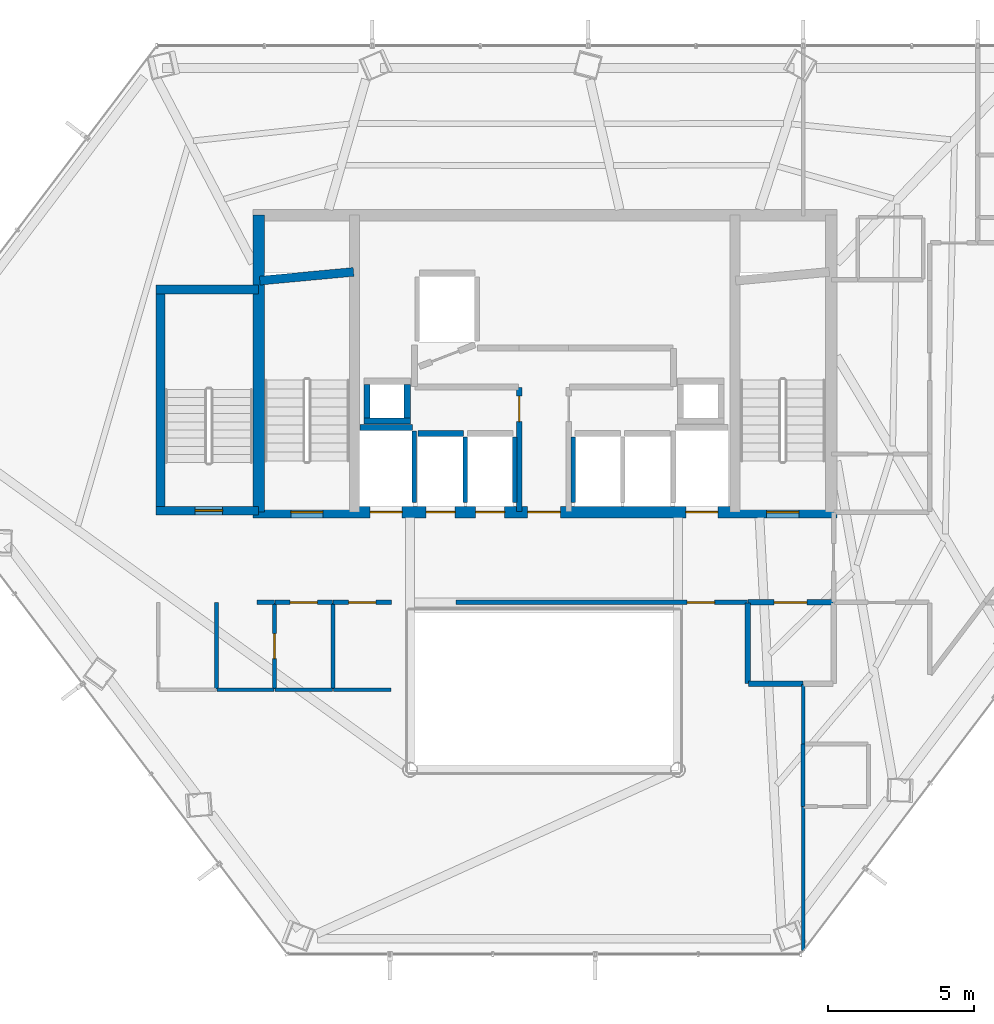
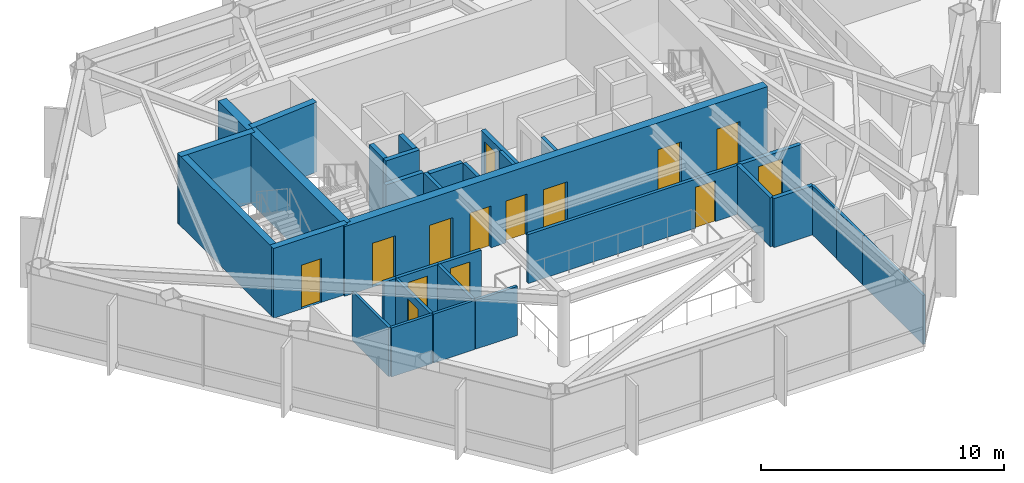
# One storey, part 27 of 30: 32 walls, 14 doors, 14 openings.
"""IFC4 building model written with IfcOpenShell, lengths in metres."""

from ifc_helpers import new_model, si_unit, direction, frame, frame_2d, origin, place, context, subcontext, project, spatial, rectangle, extrude, material, layer, layer_set, type_object, element, fill, save


model = new_model("IFC4")

# Units and contexts
model_context = context("Model", 3, precision=1e-05, world=origin(), true_north=direction((0.0, 1.0)))
body_context = subcontext(model_context, "Body", "Model", "MODEL_VIEW")
ifc_project = project(units=[si_unit("LENGTHUNIT", "METRE"), si_unit("AREAUNIT", "SQUARE_METRE"), si_unit("VOLUMEUNIT", "CUBIC_METRE"), si_unit("PLANEANGLEUNIT", "RADIAN"), si_unit("MASSUNIT", "GRAM", prefix="KILO")], contexts=[model_context])

# Site, building, storey
site_placement = place(None, origin())
site = spatial("IfcSite", under=ifc_project, at=site_placement, CompositionType="ELEMENT")
building_placement = place(site_placement, origin())
building = spatial("IfcBuilding", under=site, at=building_placement, Name="Zarrinselat Tower", CompositionType="ELEMENT")
storey_placement = place(building_placement, frame((0.0, 0.0, 130.89990234375)))
storey = spatial("IfcBuildingStorey", under=building, at=storey_placement, Name="L31", CompositionType="ELEMENT", Elevation=130.89990234375)

# Wall, opening, door
ifc_material_1 = material(Name="Concrete C40/50", Category="concrete")
ifc_layer_1 = layer(ifc_material_1, 0.18994140625)
ifc_layer_set_1 = layer_set([ifc_layer_1], Name="Concrete C40/50")
wall_type_1 = type_object("IfcWallType", Name="WAL-PART-EI120", PredefinedType="PARTITIONING", material=ifc_layer_set_1)
wall_1_placement = place(storey_placement, frame((45.405029296875, 30.14990234375, 0.0), z_axis=(0.0, 0.0, 1.0), x_axis=(1.0, 0.0, 0.0)))
wall_1 = element("IfcWall", 1, at=wall_1_placement, inside=storey, type_object=wall_type_1, Name="L31 Partition Wall 10", PredefinedType="PARTITIONING", context=body_context, shape_type="SweptSolid", body=[
    extrude(rectangle(XDim=2.925048828125, YDim=0.18994140625, at=frame_2d((1.46240234375, 0.0))), origin(), (0.0, 0.0, 1.0), 2.45703125),
])
opening_1_placement = place(wall_1_placement, frame((0.902587890625, 0.0, 0.0)))
opening_1 = element("IfcOpeningElement", 2, at=opening_1_placement, cuts=wall_1, Name="Opening ID-02", PredefinedType="OPENING", context=body_context, shape_type="SweptSolid", body=[
    extrude(rectangle(XDim=1.1201171875, YDim=2.050048828125, at=frame_2d((0.56005859375, 1.02490234375))), frame((0.0, 0.10498046875, 0.0), z_axis=(0.0, -1.0, 0.0), x_axis=(1.0, 0.0, 0.0)), (0.0, 0.0, 1.0), 0.2099609375),
])
ifc_material_2 = material(Name="Steel S355J2", Category="steel")
door_type_1 = type_object("IfcDoorType", Name="DR-INT-FD60-W", OperationType="NOTDEFINED", PredefinedType="DOOR", material=ifc_material_2)
door_1_placement = place(opening_1_placement, origin())
door_1 = element("IfcDoor", 3, at=door_1_placement, inside=storey, type_object=door_type_1, Name="L31 Interior Door P10", OperationType="SINGLE_SWING_RIGHT", OverallHeight=2.050048828125, OverallWidth=1.1201171875, PredefinedType="DOOR", context=body_context, shape_type="SweptSolid", body=[
    extrude(rectangle(XDim=1.1201171875, YDim=2.050048828125, at=frame_2d((0.56005859375, 1.02490234375))), frame((0.0, 0.02490234375, 0.0), z_axis=(0.0, -1.0, 0.0), x_axis=(1.0, 0.0, 0.0)), (0.0, 0.0, 1.0), 0.050048828125),
])
fill(opening_1, door_1)

# Walls
wall_2_placement = place(storey_placement, frame((45.419921875, 27.35009765625, 0.0), z_axis=(0.0, 0.0, 1.0), x_axis=(1.0, 0.0, 0.0)))
element("IfcWall", 4, at=wall_2_placement, inside=storey, type_object=wall_type_1, Name="L31 Partition Wall 16", PredefinedType="PARTITIONING", context=body_context, shape_type="SweptSolid", body=[
    extrude(rectangle(XDim=1.875, YDim=0.18994140625, at=frame_2d((0.9375, 0.0))), origin(), (0.0, 0.0, 1.0), 2.45703125),
])
wall_3_placement = place(storey_placement, frame((45.39990234375, 27.3701171875, 0.0), z_axis=(0.0, 0.0, 1.0), x_axis=(0.0, 1.0, 0.0)))
element("IfcWall", 5, at=wall_3_placement, inside=storey, type_object=wall_type_1, Name="L31 Partition Wall 17", PredefinedType="PARTITIONING", context=body_context, shape_type="SweptSolid", body=[
    extrude(rectangle(XDim=2.759765625, YDim=0.18994140625, at=frame_2d((1.3798828125, 0.0))), origin(), (0.0, 0.0, 1.0), 2.45703125),
])
ifc_material_3 = material(Name="Fire-Rated Gypsum Board Partition", Category="gypsum")
ifc_layer_2 = layer(ifc_material_3, 0.14990234375)
ifc_layer_set_2 = layer_set([ifc_layer_2], Name="Fire-Rated Gypsum Board Partition")
wall_type_2 = type_object("IfcWallType", Name="WAL-PART-EI60", PredefinedType="PARTITIONING", material=ifc_layer_set_2)
wall_4_placement = place(storey_placement, frame((28.550048828125, 30.14990234375, 0.0), z_axis=(0.0, 0.0, 1.0), x_axis=(1.0, 0.0, 0.0)))
element("IfcWall", 6, at=wall_4_placement, inside=storey, type_object=wall_type_2, Name="L31 Partition Wall 12", PredefinedType="PARTITIONING", context=body_context, shape_type="SweptSolid", body=[
    extrude(rectangle(XDim=0.594970703125, YDim=0.14990234375, at=frame_2d((0.29736328125, 0.0))), origin(), (0.0, 0.0, 1.0), 2.45703125),
])

# Wall, opening, door
wall_5_placement = place(storey_placement, frame((29.155029296875, 30.14990234375, 0.0), z_axis=(0.0, 0.0, 1.0), x_axis=(1.0, 0.0, 0.0)))
wall_5 = element("IfcWall", 7, at=wall_5_placement, inside=storey, type_object=wall_type_2, Name="L31 Partition Wall 13", PredefinedType="PARTITIONING", context=body_context, shape_type="SweptSolid", body=[
    extrude(rectangle(XDim=1.989990234375, YDim=0.14990234375, at=frame_2d((0.9951171875, 0.0))), origin(), (0.0, 0.0, 1.0), 2.45703125),
])
opening_2_placement = place(wall_5_placement, frame((0.52490234375, 0.0, 0.0)))
opening_2 = element("IfcOpeningElement", 8, at=opening_2_placement, cuts=wall_5, Name="Opening ID-04", PredefinedType="OPENING", context=body_context, shape_type="SweptSolid", body=[
    extrude(rectangle(XDim=0.93994140625, YDim=2.050048828125, at=frame_2d((0.469970703125, 1.02490234375))), frame((0.0, 0.0849609375, 0.0), z_axis=(0.0, -1.0, 0.0), x_axis=(1.0, 0.0, 0.0)), (0.0, 0.0, 1.0), 0.169921875),
])
ifc_material_4 = material(Name="Fire-Rated Gypsum Board Partition")
door_type_2 = type_object("IfcDoorType", Name="DR-INT-FD30-ENT", OperationType="NOTDEFINED", PredefinedType="DOOR", material=ifc_material_4)
door_2_placement = place(opening_2_placement, origin())
door_2 = element("IfcDoor", 9, at=door_2_placement, inside=storey, type_object=door_type_2, Name="L31 Interior Door P13", OperationType="SINGLE_SWING_RIGHT", OverallHeight=2.050048828125, OverallWidth=0.93994140625, PredefinedType="DOOR", context=body_context, shape_type="SweptSolid", body=[
    extrude(rectangle(XDim=0.93994140625, YDim=2.050048828125, at=frame_2d((0.469970703125, 1.02490234375))), frame((0.0, 0.02490234375, 0.0), z_axis=(0.0, -1.0, 0.0), x_axis=(1.0, 0.0, 0.0)), (0.0, 0.0, 1.0), 0.050048828125),
])
fill(opening_2, door_2)

wall_6_placement = place(storey_placement, frame((31.155029296875, 30.14990234375, 0.0), z_axis=(0.0, 0.0, 1.0), x_axis=(1.0, 0.0, 0.0)))
wall_6 = element("IfcWall", 10, at=wall_6_placement, inside=storey, type_object=wall_type_2, Name="L31 Partition Wall 14", PredefinedType="PARTITIONING", context=body_context, shape_type="SweptSolid", body=[
    extrude(rectangle(XDim=2.010009765625, YDim=0.14990234375, at=frame_2d((1.0048828125, 0.0))), origin(), (0.0, 0.0, 1.0), 2.45703125),
])
opening_3_placement = place(wall_6_placement, frame((0.534912109375, 0.0, 0.0)))
opening_3 = element("IfcOpeningElement", 11, at=opening_3_placement, cuts=wall_6, Name="Opening ID-04", PredefinedType="OPENING", context=body_context, shape_type="SweptSolid", body=[
    extrude(rectangle(XDim=0.93994140625, YDim=2.050048828125, at=frame_2d((0.469970703125, 1.02490234375))), frame((0.0, 0.0849609375, 0.0), z_axis=(0.0, -1.0, 0.0), x_axis=(1.0, 0.0, 0.0)), (0.0, 0.0, 1.0), 0.169921875),
])
door_3_placement = place(opening_3_placement, origin())
door_3 = element("IfcDoor", 12, at=door_3_placement, inside=storey, type_object=door_type_2, Name="L31 Interior Door P14", OperationType="SINGLE_SWING_LEFT", OverallHeight=2.050048828125, OverallWidth=0.93994140625, PredefinedType="DOOR", context=body_context, shape_type="SweptSolid", body=[
    extrude(rectangle(XDim=0.93994140625, YDim=2.050048828125, at=frame_2d((0.469970703125, 1.02490234375))), frame((0.0, 0.02490234375, 0.0), z_axis=(0.0, -1.0, 0.0), x_axis=(1.0, 0.0, 0.0)), (0.0, 0.0, 1.0), 0.050048828125),
])
fill(opening_3, door_3)

wall_7_placement = place(storey_placement, frame((35.385009765625, 30.14990234375, 0.0), z_axis=(0.0, 0.0, 1.0), x_axis=(1.0, 0.0, 0.0)))
wall_7 = element("IfcWall", 13, at=wall_7_placement, inside=storey, type_object=wall_type_2, Name="L31 Partition Wall 15", PredefinedType="PARTITIONING", context=body_context, shape_type="SweptSolid", body=[
    extrude(rectangle(XDim=10.010009765625, YDim=0.14990234375, at=frame_2d((5.0048828125, 0.0))), origin(), (0.0, 0.0, 1.0), 2.45703125),
])
opening_4_placement = place(wall_7_placement, frame((7.93505859375, 0.0, 0.0)))
opening_4 = element("IfcOpeningElement", 14, at=opening_4_placement, cuts=wall_7, Name="Opening ID-04", PredefinedType="OPENING", context=body_context, shape_type="SweptSolid", body=[
    extrude(rectangle(XDim=0.93994140625, YDim=2.050048828125, at=frame_2d((0.469970703125, 1.02490234375))), frame((0.0, 0.0849609375, 0.0), z_axis=(0.0, -1.0, 0.0), x_axis=(1.0, 0.0, 0.0)), (0.0, 0.0, 1.0), 0.169921875),
])
door_4_placement = place(opening_4_placement, origin())
door_4 = element("IfcDoor", 15, at=door_4_placement, inside=storey, type_object=door_type_2, Name="L31 Interior Door P15", OperationType="SINGLE_SWING_RIGHT", OverallHeight=2.050048828125, OverallWidth=0.93994140625, PredefinedType="DOOR", context=body_context, shape_type="SweptSolid", body=[
    extrude(rectangle(XDim=0.93994140625, YDim=2.050048828125, at=frame_2d((0.469970703125, 1.02490234375))), frame((0.0, 0.02490234375, 0.0), z_axis=(0.0, -1.0, 0.0), x_axis=(1.0, 0.0, 0.0)), (0.0, 0.0, 1.0), 0.050048828125),
])
fill(opening_4, door_4)

ifc_material_5 = material(Name="Concrete C40/50", Category="concrete")
ifc_layer_3 = layer(ifc_material_5, 0.199951171875)
ifc_layer_set_3 = layer_set([ifc_layer_3], Name="Concrete C40/50")
wall_type_3 = type_object("IfcWallType", Name="WAL-PART-PLANT", PredefinedType="PARTITIONING", material=ifc_layer_set_3)
wall_8_placement = place(storey_placement, frame((37.550048828125, 33.264892578125, 0.0), z_axis=(0.0, 0.0, 1.0), x_axis=(0.0, 1.0, 0.0)))
wall_8 = element("IfcWall", 16, at=wall_8_placement, inside=storey, type_object=wall_type_3, Name="L31 Partition Wall 1", PredefinedType="PARTITIONING", context=body_context, shape_type="SweptSolid", body=[
    extrude(rectangle(XDim=4.26513671875, YDim=0.199951171875, at=frame_2d((2.132568359375, 0.0))), origin(), (0.0, 0.0, 1.0), 2.45703125),
])
opening_5_placement = place(wall_8_placement, frame((3.092529296875, 0.0, 0.0)))
opening_5 = element("IfcOpeningElement", 17, at=opening_5_placement, cuts=wall_8, Name="Opening ID-03", PredefinedType="OPENING", context=body_context, shape_type="SweptSolid", body=[
    extrude(rectangle(XDim=0.8798828125, YDim=2.050048828125, at=frame_2d((0.43994140625, 1.02490234375))), frame((0.0, 0.10986328125, 0.0), z_axis=(0.0, -1.0, 0.0), x_axis=(1.0, 0.0, 0.0)), (0.0, 0.0, 1.0), 0.219970703125),
])
ifc_material_6 = material(Name="Steel S355J2", Category="steel")
door_type_3 = type_object("IfcDoorType", Name="DR-INT-FD60-S", OperationType="NOTDEFINED", PredefinedType="DOOR", material=ifc_material_6)
door_5_placement = place(opening_5_placement, origin())
door_5 = element("IfcDoor", 18, at=door_5_placement, inside=storey, type_object=door_type_3, Name="L31 Interior Door P1", OperationType="SINGLE_SWING_RIGHT", OverallHeight=2.050048828125, OverallWidth=0.8798828125, PredefinedType="DOOR", context=body_context, shape_type="SweptSolid", body=[
    extrude(rectangle(XDim=0.8798828125, YDim=2.050048828125, at=frame_2d((0.43994140625, 1.02490234375))), frame((0.0, 0.02490234375, 0.0), z_axis=(0.0, -1.0, 0.0), x_axis=(1.0, 0.0, 0.0)), (0.0, 0.0, 1.0), 0.050048828125),
])
fill(opening_5, door_5)

# Walls
ifc_material_7 = material(Name="Fire-Rated Gypsum Board Partition", Category="gypsum")
ifc_layer_4 = layer(ifc_material_7, 0.1201171875)
ifc_layer_set_4 = layer_set([ifc_layer_4], Name="Fire-Rated Gypsum Board Partition")
wall_type_4 = type_object("IfcWallType", Name="WAL-PART-STD", PredefinedType="PARTITIONING", material=ifc_layer_set_4)
wall_9_placement = place(storey_placement, frame((47.300048828125, 25.2919921875, 0.0), z_axis=(0.0, 0.0, 1.0), x_axis=(0.0, 1.0, 0.0)))
element("IfcWall", 19, at=wall_9_placement, inside=storey, type_object=wall_type_4, Name="L31 Partition Wall 42", PredefinedType="PARTITIONING", context=body_context, shape_type="SweptSolid", body=[
    extrude(rectangle(XDim=2.0380859375, YDim=0.1201171875, at=frame_2d((1.01904296875, 0.0))), origin(), (0.0, 0.0, 1.0), 2.45703125),
])
wall_10_placement = place(storey_placement, frame((47.300048828125, 18.189697265625, 0.0), z_axis=(0.0, 0.0, 1.0), x_axis=(0.0, 1.0, 0.0)))
element("IfcWall", 20, at=wall_10_placement, inside=storey, type_object=wall_type_4, Name="L31 Partition Wall 43", PredefinedType="PARTITIONING", context=body_context, shape_type="SweptSolid", body=[
    extrude(rectangle(XDim=4.9423828125, YDim=0.1201171875, at=frame_2d((2.47119140625, 0.0))), origin(), (0.0, 0.0, 1.0), 2.45703125),
])
ifc_material_8 = material(Name="Fire-Rated Gypsum Board Partition", Category="gypsum")
ifc_layer_5 = layer(ifc_material_8, 0.135009765625)
ifc_layer_set_5 = layer_set([ifc_layer_5], Name="Fire-Rated Gypsum Board Partition")
wall_type_5 = type_object("IfcWallType", Name="WAL-PART-WET", PredefinedType="PARTITIONING", material=ifc_layer_set_5)
wall_11_placement = place(storey_placement, frame((27.14990234375, 27.169921875, 0.0), z_axis=(0.0, 0.0, 1.0), x_axis=(0.0, 1.0, 0.0)))
element("IfcWall", 21, at=wall_11_placement, inside=storey, type_object=wall_type_5, Name="L31 Partition Wall 34", PredefinedType="PARTITIONING", context=body_context, shape_type="SweptSolid", body=[
    extrude(rectangle(XDim=2.97998046875, YDim=0.135009765625, at=frame_2d((1.489990234375, 0.0))), origin(), (0.0, 0.0, 1.0), 2.45703125),
])

# Wall, opening, door
wall_12_placement = place(storey_placement, frame((29.14990234375, 27.169921875, 0.0), z_axis=(0.0, 0.0, 1.0), x_axis=(0.0, 1.0, 0.0)))
wall_12 = element("IfcWall", 22, at=wall_12_placement, inside=storey, type_object=wall_type_5, Name="L31 Partition Wall 37", PredefinedType="PARTITIONING", context=body_context, shape_type="SweptSolid", body=[
    extrude(rectangle(XDim=2.9599609375, YDim=0.135009765625, at=frame_2d((1.47998046875, 0.0))), origin(), (0.0, 0.0, 1.0), 2.45703125),
])
opening_6_placement = place(wall_12_placement, frame((1.050048828125, 0.0, 0.0)))
opening_6 = element("IfcOpeningElement", 23, at=opening_6_placement, cuts=wall_12, Name="Opening ID-06", PredefinedType="OPENING", context=body_context, shape_type="SweptSolid", body=[
    extrude(rectangle(XDim=0.860107421875, YDim=2.050048828125, at=frame_2d((0.43017578125, 1.02490234375))), frame((0.0, 0.077392578125, 0.0), z_axis=(0.0, -1.0, 0.0), x_axis=(1.0, 0.0, 0.0)), (0.0, 0.0, 1.0), 0.155029296875),
])
ifc_material_9 = material(Name="Extruded Aluminium Alloy EN AW-6063 T6", Category="aluminium")
door_type_4 = type_object("IfcDoorType", Name="DR-INT-WET-900", OperationType="NOTDEFINED", PredefinedType="DOOR", material=ifc_material_9)
door_6_placement = place(opening_6_placement, origin())
door_6 = element("IfcDoor", 24, at=door_6_placement, inside=storey, type_object=door_type_4, Name="L31 Interior Door P37", OperationType="SINGLE_SWING_LEFT", OverallHeight=2.050048828125, OverallWidth=0.860107421875, PredefinedType="DOOR", context=body_context, shape_type="SweptSolid", body=[
    extrude(rectangle(XDim=0.860107421875, YDim=2.050048828125, at=frame_2d((0.43017578125, 1.02490234375))), frame((0.0, 0.02490234375, 0.0), z_axis=(0.0, -1.0, 0.0), x_axis=(1.0, 0.0, 0.0)), (0.0, 0.0, 1.0), 0.050048828125),
])
fill(opening_6, door_6)

# Walls
wall_13_placement = place(storey_placement, frame((27.169921875, 27.14990234375, 0.0), z_axis=(0.0, 0.0, 1.0), x_axis=(1.0, 0.0, 0.0)))
element("IfcWall", 25, at=wall_13_placement, inside=storey, type_object=wall_type_5, Name="L31 Partition Wall 38", PredefinedType="PARTITIONING", context=body_context, shape_type="SweptSolid", body=[
    extrude(rectangle(XDim=1.9599609375, YDim=0.135009765625, at=frame_2d((0.97998046875, 0.0))), origin(), (0.0, 0.0, 1.0), 2.45703125),
])
wall_14_placement = place(storey_placement, frame((31.14990234375, 27.169921875, 0.0), z_axis=(0.0, 0.0, 1.0), x_axis=(0.0, 1.0, 0.0)))
element("IfcWall", 26, at=wall_14_placement, inside=storey, type_object=wall_type_5, Name="L31 Partition Wall 39", PredefinedType="PARTITIONING", context=body_context, shape_type="SweptSolid", body=[
    extrude(rectangle(XDim=2.9599609375, YDim=0.135009765625, at=frame_2d((1.47998046875, 0.0))), origin(), (0.0, 0.0, 1.0), 2.45703125),
])
wall_15_placement = place(storey_placement, frame((29.169921875, 27.14990234375, 0.0), z_axis=(0.0, 0.0, 1.0), x_axis=(1.0, 0.0, 0.0)))
element("IfcWall", 27, at=wall_15_placement, inside=storey, type_object=wall_type_5, Name="L31 Partition Wall 40", PredefinedType="PARTITIONING", context=body_context, shape_type="SweptSolid", body=[
    extrude(rectangle(XDim=1.9599609375, YDim=0.135009765625, at=frame_2d((0.97998046875, 0.0))), origin(), (0.0, 0.0, 1.0), 2.45703125),
])
wall_16_placement = place(storey_placement, frame((31.169921875, 27.14990234375, 0.0), z_axis=(0.0, 0.0, 1.0), x_axis=(1.0, 0.0, 0.0)))
element("IfcWall", 28, at=wall_16_placement, inside=storey, type_object=wall_type_5, Name="L31 Partition Wall 41", PredefinedType="PARTITIONING", context=body_context, shape_type="SweptSolid", body=[
    extrude(rectangle(XDim=1.97998046875, YDim=0.135009765625, at=frame_2d((0.989990234375, 0.0))), origin(), (0.0, 0.0, 1.0), 2.45703125),
])
wall_17_placement = place(storey_placement, frame((47.300048828125, 23.14208984375, 0.0), z_axis=(0.0, 0.0, 1.0), x_axis=(0.0, 1.0, 0.0)))
element("IfcWall", 29, at=wall_17_placement, inside=storey, type_object=wall_type_5, Name="L31 Partition Wall 44", PredefinedType="PARTITIONING", context=body_context, shape_type="SweptSolid", body=[
    extrude(rectangle(XDim=2.139892578125, YDim=0.135009765625, at=frame_2d((1.06982421875, 0.0))), origin(), (0.0, 0.0, 1.0), 2.45703125),
])
ifc_material_10 = material(Name="Concrete C40/50", Category="concrete")
ifc_layer_6 = layer(ifc_material_10, 0.2099609375)
ifc_layer_set_6 = layer_set([ifc_layer_6], Name="Concrete C40/50")
wall_type_6 = type_object("IfcWallType", Name="WAL-SHAFT-210", PredefinedType="SOLIDWALL", material=ifc_layer_set_6)
wall_18_placement = place(storey_placement, frame((32.080078125, 36.155029296875, 0.0), z_axis=(0.0, 0.0, 1.0), x_axis=(1.0, 0.0, 0.0)))
element("IfcWall", 30, at=wall_18_placement, inside=storey, type_object=wall_type_6, Name="L31 Lift FFL1 North Shaft Wall", PredefinedType="SOLIDWALL", context=body_context, shape_type="SweptSolid", body=[
    extrude(rectangle(XDim=1.7998046875, YDim=0.2099609375, at=frame_2d((0.89990234375, 0.0))), origin(), (0.0, 0.0, 1.0), 2.47216796875),
])
wall_19_placement = place(storey_placement, frame((33.949951171875, 33.580078125, 0.0), z_axis=(0.0, 0.0, 1.0), x_axis=(0.0, 1.0, 0.0)))
element("IfcWall", 31, at=wall_19_placement, inside=storey, type_object=wall_type_6, Name="L31 Lift FFL1 E Shaft Wall", PredefinedType="SOLIDWALL", context=body_context, shape_type="SweptSolid", body=[
    extrude(rectangle(XDim=2.449951171875, YDim=0.159912109375, at=frame_2d((1.22509765625, 0.0))), origin(), (0.0, 0.0, 1.0), 2.47216796875),
])
wall_20_placement = place(storey_placement, frame((34.070068359375, 35.955078125, 0.0), z_axis=(0.0, 0.0, 1.0), x_axis=(1.0, 0.0, 0.0)))
element("IfcWall", 32, at=wall_20_placement, inside=storey, type_object=wall_type_6, Name="L31 Lift PL5 North Shaft Wall", PredefinedType="SOLIDWALL", context=body_context, shape_type="SweptSolid", body=[
    extrude(rectangle(XDim=1.559814453125, YDim=0.2099609375, at=frame_2d((0.77978515625, 0.0))), origin(), (0.0, 0.0, 1.0), 2.47216796875),
])
for number, where, z_axis, x_axis, name in (
    (33, (35.699951171875, 33.580078125, 0.0), (0.0, 0.0, 1.0), (0.0, 1.0, 0.0), "L31 Lift PL5 E Shaft Wall"),
    (34, (37.39990234375, 33.580078125, 0.0), (0.0, 0.0, 1.0), (0.0, 1.0, 0.0), "L31 Lift PL6 E Shaft Wall"),
    (35, (39.39990234375, 33.580078125, 0.0), (0.0, 0.0, 1.0), (0.0, 1.0, 0.0), "L31 Lift PL8 W Shaft Wall"),
):
    element("IfcWall", number, at=place(storey_placement, frame(where, z_axis=z_axis, x_axis=x_axis)), inside=storey, type_object=wall_type_6, Name=name, PredefinedType="SOLIDWALL", context=body_context, shape_type="SweptSolid", body=[
        extrude(rectangle(XDim=2.25, YDim=0.159912109375, at=frame_2d((1.125, 0.0))), origin(), (0.0, 0.0, 1.0), 2.47216796875),
    ])
wall_21_placement = place(storey_placement, frame((32.2099609375, 36.375, 0.0), z_axis=(0.0, 0.0, 1.0), x_axis=(1.0, 0.0, 0.0)))
element("IfcWall", 36, at=wall_21_placement, inside=storey, type_object=wall_type_6, Name="L31 Core Riser RSR-W S Shaft Wall", PredefinedType="SOLIDWALL", context=body_context, shape_type="SweptSolid", body=[
    extrude(rectangle(XDim=1.60009765625, YDim=0.2099609375, at=frame_2d((0.800048828125, 0.0))), origin(), (0.0, 0.0, 1.0), 3.5),
])
for number, where, z_axis, x_axis, name in (
    (37, (32.31494140625, 36.485107421875, 0.0), (0.0, 0.0, 1.0), (0.0, 1.0, 0.0), "L31 Core Riser RSR-W W Shaft Wall"),
    (38, (33.705078125, 36.485107421875, 0.0), (0.0, 0.0, 1.0), (0.0, 1.0, 0.0), "L31 Core Riser RSR-W E Shaft Wall"),
):
    element("IfcWall", number, at=place(storey_placement, frame(where, z_axis=z_axis, x_axis=x_axis)), inside=storey, type_object=wall_type_6, Name=name, PredefinedType="SOLIDWALL", context=body_context, shape_type="SweptSolid", body=[
        extrude(rectangle(XDim=1.14990234375, YDim=0.2099609375, at=frame_2d((0.574951171875, 0.0))), origin(), (0.0, 0.0, 1.0), 3.5),
    ])
ifc_material_11 = material(Name="Concrete C40/50", Category="concrete")
ifc_layer_7 = layer(ifc_material_11, 0.300048828125)
ifc_layer_set_7 = layer_set([ifc_layer_7], Name="Concrete C40/50")
wall_type_7 = type_object("IfcWallType", Name="WAL-SHEAR-300", PredefinedType="SHEAR", material=ifc_layer_set_7)
wall_22_placement = place(storey_placement, frame((28.639892578125, 41.199951171875, 0.0), z_axis=(0.0, 0.0, 1.0), x_axis=(0.995687118776, 0.092774789157, 0.0)))
element("IfcWall", 39, at=wall_22_placement, inside=storey, type_object=wall_type_7, Name="L31 Stair 1 North Shaft Wall", PredefinedType="SHEAR", context=body_context, shape_type="SweptSolid", body=[
    extrude(rectangle(XDim=3.234130859375, YDim=0.300048828125, at=frame_2d((1.6171875, 0.0))), origin(), (0.0, 0.0, 1.0), 3.5),
])
wall_23_placement = place(storey_placement, frame((25.080078125, 40.89990234375, 0.0), z_axis=(0.0, 0.0, 1.0), x_axis=(1.0, 0.0, 0.0)))
element("IfcWall", 40, at=wall_23_placement, inside=storey, type_object=wall_type_7, Name="L31 Stair 3 North Shear Wall", PredefinedType="SHEAR", context=body_context, shape_type="SweptSolid", body=[
    extrude(rectangle(XDim=3.52001953125, YDim=0.300048828125, at=frame_2d((1.760009765625, 0.0))), origin(), (0.0, 0.0, 1.0), 3.5),
])

# Wall, opening, door
wall_24_placement = place(storey_placement, frame((25.080078125, 33.300048828125, 0.0), z_axis=(0.0, 0.0, 1.0), x_axis=(1.0, 0.0, 0.0)))
wall_24 = element("IfcWall", 41, at=wall_24_placement, inside=storey, type_object=wall_type_7, Name="L31 Stair 3 South Shear Wall", PredefinedType="SHEAR", context=body_context, shape_type="SweptSolid", body=[
    extrude(rectangle(XDim=3.52001953125, YDim=0.300048828125, at=frame_2d((1.760009765625, 0.0))), origin(), (0.0, 0.0, 1.0), 3.5),
])
opening_7_placement = place(wall_24_placement, frame((1.3349609375, 0.0, 0.0)))
opening_7 = element("IfcOpeningElement", 42, at=opening_7_placement, cuts=wall_24, Name="Opening SD-02", PredefinedType="OPENING", context=body_context, shape_type="SweptSolid", body=[
    extrude(rectangle(XDim=0.949951171875, YDim=2.199951171875, at=frame_2d((0.47509765625, 1.10009765625))), frame((0.0, 0.159912109375, 0.0), z_axis=(0.0, -1.0, 0.0), x_axis=(1.0, 0.0, 0.0)), (0.0, 0.0, 1.0), 0.320068359375),
])
ifc_material_12 = material(Name="Steel S355J2", Category="steel")
door_type_5 = type_object("IfcDoorType", Name="DR-STAIR-1050", OperationType="NOTDEFINED", PredefinedType="DOOR", material=ifc_material_12)
door_7_placement = place(opening_7_placement, origin())
door_7 = element("IfcDoor", 43, at=door_7_placement, inside=storey, type_object=door_type_5, Name="L31 Exit Stair 3 Fire Door", OperationType="SINGLE_SWING_LEFT", OverallHeight=2.199951171875, OverallWidth=0.949951171875, PredefinedType="DOOR", context=body_context, shape_type="SweptSolid", body=[
    extrude(rectangle(XDim=0.949951171875, YDim=2.199951171875, at=frame_2d((0.47509765625, 1.10009765625))), frame((0.0, 0.02490234375, 0.0), z_axis=(0.0, -1.0, 0.0), x_axis=(1.0, 0.0, 0.0)), (0.0, 0.0, 1.0), 0.050048828125),
])
fill(opening_7, door_7)

# Wall
wall_25_placement = place(storey_placement, frame((25.22998046875, 33.300048828125, 0.0), z_axis=(0.0, 0.0, 1.0), x_axis=(0.0, 1.0, 0.0)))
element("IfcWall", 44, at=wall_25_placement, inside=storey, type_object=wall_type_7, Name="L31 Stair 3 West Shear Wall", PredefinedType="SHEAR", context=body_context, shape_type="SweptSolid", body=[
    extrude(rectangle(XDim=7.599853515625, YDim=0.300048828125, at=frame_2d((3.7998046875, 0.0))), origin(), (0.0, 0.0, 1.0), 3.5),
])

# Wall, openings, doors
ifc_material_13 = material(Name="Concrete C60/75", Category="concrete")
ifc_layer_8 = layer(ifc_material_13, 0.39990234375)
ifc_layer_set_8 = layer_set([ifc_layer_8], Name="Concrete C60/75")
wall_type_8 = type_object("IfcWallType", Name="WAL-SHEAR-400", PredefinedType="SHEAR", material=ifc_layer_set_8)
wall_26_placement = place(storey_placement, frame((28.39990234375, 33.25, 0.0), z_axis=(0.0, 0.0, 1.0), x_axis=(1.0, 0.0, 0.0)))
wall_26 = element("IfcWall", 45, at=wall_26_placement, inside=storey, type_object=wall_type_8, Name="L31 South Core Shear Wall", PredefinedType="SHEAR", context=body_context, shape_type="SweptSolid", body=[
    extrude(rectangle(XDim=20.06005859375, YDim=0.39990234375, at=frame_2d((10.030029296875, 0.0))), origin(), (0.0, 0.0, 1.0), 3.5),
])
opening_8_placement = place(wall_26_placement, frame((4.030029296875, 0.0, 0.0)))
opening_8 = element("IfcOpeningElement", 46, at=opening_8_placement, cuts=wall_26, Name="Opening LD-FFL1", PredefinedType="OPENING", context=body_context, shape_type="SweptSolid", body=[
    extrude(rectangle(XDim=1.10009765625, YDim=2.14990234375, at=frame_2d((0.550048828125, 1.074951171875))), frame((0.0, 0.2099609375, 0.0), z_axis=(0.0, -1.0, 0.0), x_axis=(1.0, 0.0, 0.0)), (0.0, 0.0, 1.0), 0.419921875),
])
opening_9_placement = place(wall_26_placement, frame((14.8701171875, 0.0, 0.0)))
opening_9 = element("IfcOpeningElement", 47, at=opening_9_placement, cuts=wall_26, Name="Opening LD-FFL2", PredefinedType="OPENING", context=body_context, shape_type="SweptSolid", body=[
    extrude(rectangle(XDim=1.10009765625, YDim=2.14990234375, at=frame_2d((0.550048828125, 1.074951171875))), frame((0.0, 0.2099609375, 0.0), z_axis=(0.0, -1.0, 0.0), x_axis=(1.0, 0.0, 0.0)), (0.0, 0.0, 1.0), 0.419921875),
])
opening_10_placement = place(wall_26_placement, frame((5.949951171875, 0.0, 0.0)))
opening_10 = element("IfcOpeningElement", 48, at=opening_10_placement, cuts=wall_26, Name="Opening LD-PL5", PredefinedType="OPENING", context=body_context, shape_type="SweptSolid", body=[
    extrude(rectangle(XDim=1.0, YDim=2.10009765625, at=frame_2d((0.5, 1.050048828125))), frame((0.0, 0.2099609375, 0.0), z_axis=(0.0, -1.0, 0.0), x_axis=(1.0, 0.0, 0.0)), (0.0, 0.0, 1.0), 0.419921875),
])
opening_11_placement = place(wall_26_placement, frame((7.64990234375, 0.0, 0.0)))
opening_11 = element("IfcOpeningElement", 49, at=opening_11_placement, cuts=wall_26, Name="Opening LD-PL6", PredefinedType="OPENING", context=body_context, shape_type="SweptSolid", body=[
    extrude(rectangle(XDim=1.0, YDim=2.10009765625, at=frame_2d((0.5, 1.050048828125))), frame((0.0, 0.2099609375, 0.0), z_axis=(0.0, -1.0, 0.0), x_axis=(1.0, 0.0, 0.0)), (0.0, 0.0, 1.0), 0.419921875),
])
opening_12_placement = place(wall_26_placement, frame((1.31005859375, 0.0, 0.0)))
opening_12 = element("IfcOpeningElement", 50, at=opening_12_placement, cuts=wall_26, Name="Opening SD-01", PredefinedType="OPENING", context=body_context, shape_type="SweptSolid", body=[
    extrude(rectangle(XDim=1.10009765625, YDim=2.199951171875, at=frame_2d((0.550048828125, 1.10009765625))), frame((0.0, 0.2099609375, 0.0), z_axis=(0.0, -1.0, 0.0), x_axis=(1.0, 0.0, 0.0)), (0.0, 0.0, 1.0), 0.419921875),
])
opening_13_placement = place(wall_26_placement, frame((9.43994140625, 0.0, 0.0)))
opening_13 = element("IfcOpeningElement", 51, at=opening_13_placement, cuts=wall_26, Name="Opening ID-02", PredefinedType="OPENING", context=body_context, shape_type="SweptSolid", body=[
    extrude(rectangle(XDim=1.1201171875, YDim=2.050048828125, at=frame_2d((0.56005859375, 1.02490234375))), frame((0.0, 0.2099609375, 0.0), z_axis=(0.0, -1.0, 0.0), x_axis=(1.0, 0.0, 0.0)), (0.0, 0.0, 1.0), 0.419921875),
])
opening_14_placement = place(wall_26_placement, frame((17.64990234375, 0.0, 0.0)))
opening_14 = element("IfcOpeningElement", 52, at=opening_14_placement, cuts=wall_26, Name="Opening SD-01", PredefinedType="OPENING", context=body_context, shape_type="SweptSolid", body=[
    extrude(rectangle(XDim=1.10009765625, YDim=2.199951171875, at=frame_2d((0.550048828125, 1.10009765625))), frame((0.0, 0.2099609375, 0.0), z_axis=(0.0, -1.0, 0.0), x_axis=(1.0, 0.0, 0.0)), (0.0, 0.0, 1.0), 0.419921875),
])
door_8_placement = place(opening_13_placement, origin())
door_8 = element("IfcDoor", 53, at=door_8_placement, inside=storey, type_object=door_type_1, Name="L31 Core Service Vestibule Fire Door", OperationType="SINGLE_SWING_LEFT", OverallHeight=2.050048828125, OverallWidth=1.1201171875, PredefinedType="DOOR", context=body_context, shape_type="SweptSolid", body=[
    extrude(rectangle(XDim=1.1201171875, YDim=2.050048828125, at=frame_2d((0.56005859375, 1.02490234375))), frame((0.0, 0.02490234375, 0.0), z_axis=(0.0, -1.0, 0.0), x_axis=(1.0, 0.0, 0.0)), (0.0, 0.0, 1.0), 0.050048828125),
])
fill(opening_13, door_8)
ifc_material_14 = material(Name="Steel S355J2", Category="steel")
door_type_6 = type_object("IfcDoorType", Name="DR-LIFT-FF-1100", OperationType="NOTDEFINED", PredefinedType="DOOR", material=ifc_material_14)
door_9_placement = place(opening_8_placement, origin())
door_9 = element("IfcDoor", 54, at=door_9_placement, inside=storey, type_object=door_type_6, Name="L31 Lift FFL1 Sliding Landing Door", OperationType="SLIDING_TO_LEFT", OverallHeight=2.14990234375, OverallWidth=1.10009765625, PredefinedType="DOOR", context=body_context, shape_type="SweptSolid", body=[
    extrude(rectangle(XDim=1.10009765625, YDim=2.14990234375, at=frame_2d((0.550048828125, 1.074951171875))), frame((0.0, 0.02490234375, 0.0), z_axis=(0.0, -1.0, 0.0), x_axis=(1.0, 0.0, 0.0)), (0.0, 0.0, 1.0), 0.050048828125),
])
fill(opening_8, door_9)
door_10_placement = place(opening_9_placement, origin())
door_10 = element("IfcDoor", 55, at=door_10_placement, inside=storey, type_object=door_type_6, Name="L31 Lift FFL2 Sliding Landing Door", OperationType="SLIDING_TO_RIGHT", OverallHeight=2.14990234375, OverallWidth=1.10009765625, PredefinedType="DOOR", context=body_context, shape_type="SweptSolid", body=[
    extrude(rectangle(XDim=1.10009765625, YDim=2.14990234375, at=frame_2d((0.550048828125, 1.074951171875))), frame((0.0, 0.02490234375, 0.0), z_axis=(0.0, -1.0, 0.0), x_axis=(1.0, 0.0, 0.0)), (0.0, 0.0, 1.0), 0.050048828125),
])
fill(opening_9, door_10)
ifc_material_15 = material(Name="Steel S355J2", Category="steel")
door_type_7 = type_object("IfcDoorType", Name="DR-LIFT-PS-1000", OperationType="NOTDEFINED", PredefinedType="DOOR", material=ifc_material_15)
door_11_placement = place(opening_10_placement, origin())
door_11 = element("IfcDoor", 56, at=door_11_placement, inside=storey, type_object=door_type_7, Name="L31 Lift PL5 Sliding Landing Door", OperationType="SLIDING_TO_LEFT", OverallHeight=2.10009765625, OverallWidth=1.0, PredefinedType="DOOR", context=body_context, shape_type="SweptSolid", body=[
    extrude(rectangle(XDim=1.0, YDim=2.10009765625, at=frame_2d((0.5, 1.050048828125))), frame((0.0, 0.02490234375, 0.0), z_axis=(0.0, -1.0, 0.0), x_axis=(1.0, 0.0, 0.0)), (0.0, 0.0, 1.0), 0.050048828125),
])
fill(opening_10, door_11)
door_12_placement = place(opening_11_placement, origin())
door_12 = element("IfcDoor", 57, at=door_12_placement, inside=storey, type_object=door_type_7, Name="L31 Lift PL6 Sliding Landing Door", OperationType="SLIDING_TO_RIGHT", OverallHeight=2.10009765625, OverallWidth=1.0, PredefinedType="DOOR", context=body_context, shape_type="SweptSolid", body=[
    extrude(rectangle(XDim=1.0, YDim=2.10009765625, at=frame_2d((0.5, 1.050048828125))), frame((0.0, 0.02490234375, 0.0), z_axis=(0.0, -1.0, 0.0), x_axis=(1.0, 0.0, 0.0)), (0.0, 0.0, 1.0), 0.050048828125),
])
fill(opening_11, door_12)
ifc_material_16 = material(Name="Steel S355J2", Category="steel")
door_type_8 = type_object("IfcDoorType", Name="DR-STAIR-1100", OperationType="NOTDEFINED", PredefinedType="DOOR", material=ifc_material_16)
door_13_placement = place(opening_12_placement, origin())
door_13 = element("IfcDoor", 58, at=door_13_placement, inside=storey, type_object=door_type_8, Name="L31 Exit Stair 1 Fire Door", OperationType="SINGLE_SWING_LEFT", OverallHeight=2.199951171875, OverallWidth=1.10009765625, PredefinedType="DOOR", context=body_context, shape_type="SweptSolid", body=[
    extrude(rectangle(XDim=1.10009765625, YDim=2.199951171875, at=frame_2d((0.550048828125, 1.10009765625))), frame((0.0, 0.02490234375, 0.0), z_axis=(0.0, -1.0, 0.0), x_axis=(1.0, 0.0, 0.0)), (0.0, 0.0, 1.0), 0.050048828125),
])
fill(opening_12, door_13)
door_14_placement = place(opening_14_placement, origin())
door_14 = element("IfcDoor", 59, at=door_14_placement, inside=storey, type_object=door_type_8, Name="L31 Exit Stair 2 Fire Door", OperationType="SINGLE_SWING_RIGHT", OverallHeight=2.199951171875, OverallWidth=1.10009765625, PredefinedType="DOOR", context=body_context, shape_type="SweptSolid", body=[
    extrude(rectangle(XDim=1.10009765625, YDim=2.199951171875, at=frame_2d((0.550048828125, 1.10009765625))), frame((0.0, 0.02490234375, 0.0), z_axis=(0.0, -1.0, 0.0), x_axis=(1.0, 0.0, 0.0)), (0.0, 0.0, 1.0), 0.050048828125),
])
fill(opening_14, door_14)

# Wall
wall_27_placement = place(storey_placement, frame((28.60009765625, 33.25, 0.0), z_axis=(0.0, 0.0, 1.0), x_axis=(0.0, 1.0, 0.0)))
element("IfcWall", 60, at=wall_27_placement, inside=storey, type_object=wall_type_8, Name="L31 Core Shear Wall W", PredefinedType="SHEAR", context=body_context, shape_type="SweptSolid", body=[
    extrude(rectangle(XDim=10.199951171875, YDim=0.39990234375, at=frame_2d((5.10009765625, 0.0))), origin(), (0.0, 0.0, 1.0), 3.5),
])

save(model, "model.ifc")
